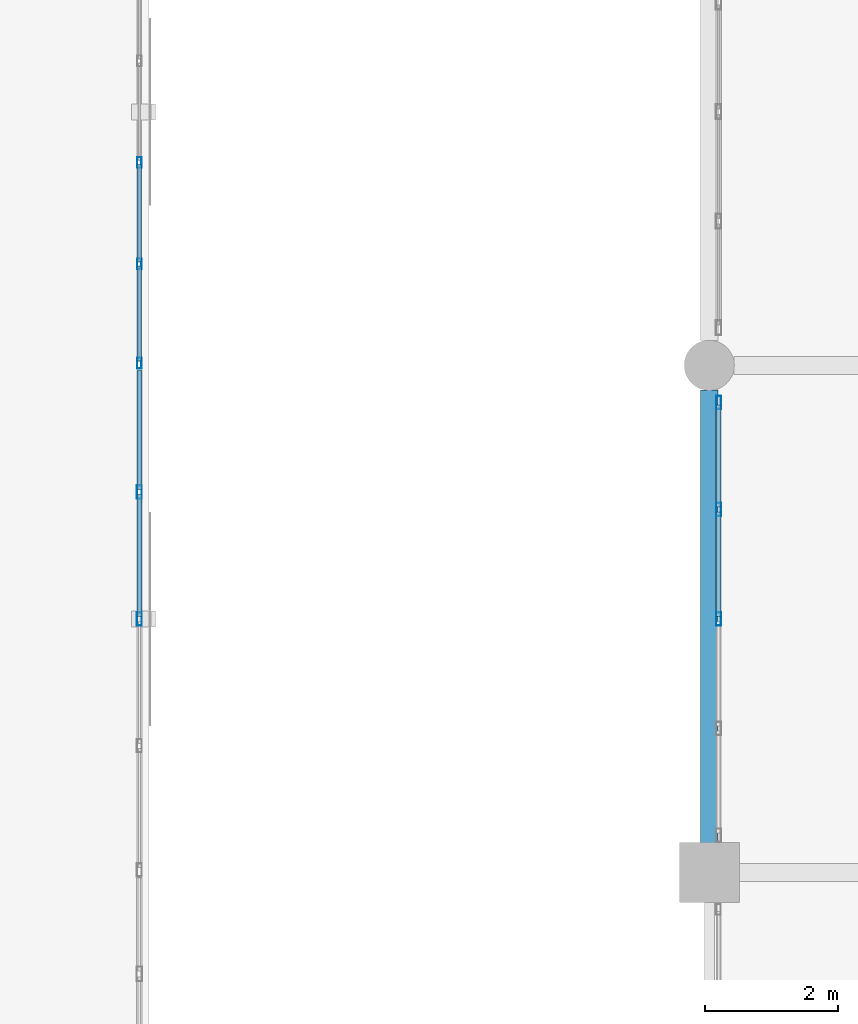
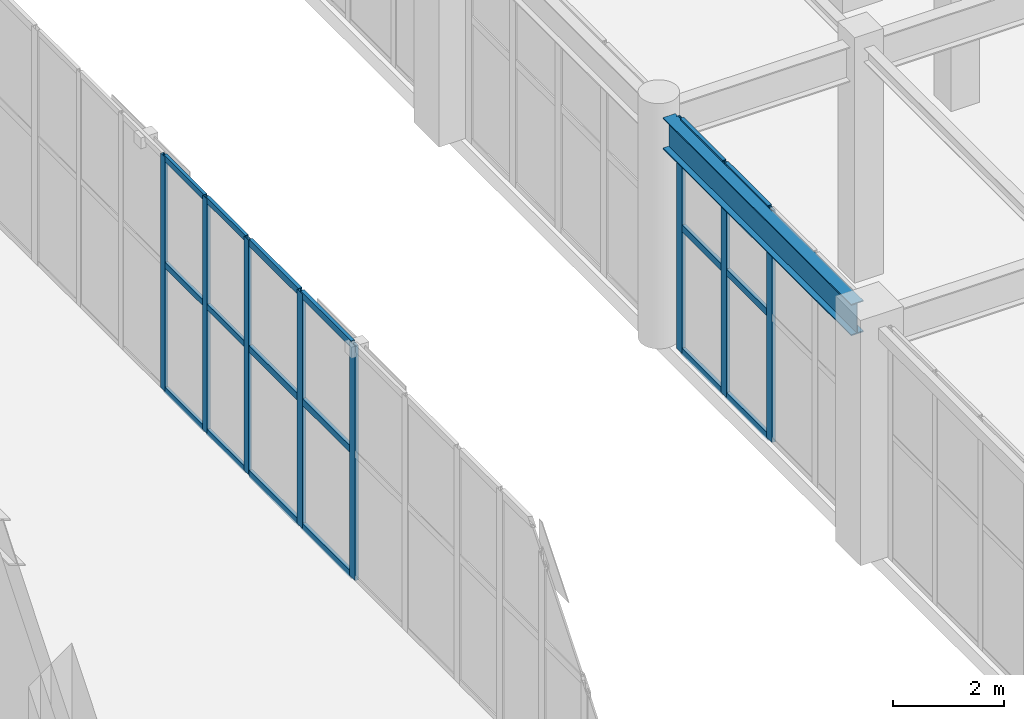
# One storey, part 29 of 139: 26 members, 1 beam, 3 elements without a shape of their own.
"""IFC4 building model written with IfcOpenShell, lengths in metres."""

from ifc_helpers import new_model, si_unit, direction, frame, origin, origin_2d, place, context, subcontext, project, spatial, hollow_rectangle, i_section, extrude, material, layer, layer_set, material_profile, profile_set, type_object, element, aggregate, save


model = new_model("IFC4")

# Units and contexts
model_context = context("Model", 3, precision=1e-05, world=origin(), true_north=direction((0.0, 1.0)))
body_context = subcontext(model_context, "Body", "Model", "MODEL_VIEW")
ifc_project = project(units=[si_unit("LENGTHUNIT", "METRE"), si_unit("AREAUNIT", "SQUARE_METRE"), si_unit("VOLUMEUNIT", "CUBIC_METRE"), si_unit("PLANEANGLEUNIT", "RADIAN"), si_unit("MASSUNIT", "GRAM", prefix="KILO")], contexts=[model_context])

# Site, building, storey
site_placement = place(None, origin())
site = spatial("IfcSite", under=ifc_project, at=site_placement, CompositionType="ELEMENT")
building_placement = place(site_placement, origin())
building = spatial("IfcBuilding", under=site, at=building_placement, Name="Xicomal Pleat Aquarium", CompositionType="ELEMENT")
storey_placement = place(building_placement, origin())
storey = spatial("IfcBuildingStorey", under=building, at=storey_placement, Name="L01", CompositionType="ELEMENT", Elevation=0.0)

# Beam
ifc_material_1 = material(Name="Structural steel A992 Gr 50", Category="steel")
ifc_material_profile_1 = material_profile(ifc_material_1, i_section(OverallWidth=0.256103515625, OverallDepth=0.693115234375, WebThickness=0.014404296875, FlangeThickness=0.023681640625, at=origin_2d()), Name="IR 690x170")
ifc_profile_set_1 = profile_set([ifc_material_profile_1], Name="Structural steel A992 Gr 50")
beam_type = type_object("IfcBeamType", Name="BM-STL-IR690", PredefinedType="BEAM", material=ifc_profile_set_1)
beam_placement = place(storey_placement, frame((43.800048828125, 53.64501953125, 4.75341796875), z_axis=(0.0, 1.0, 0.0), x_axis=(-1.0, 0.0, 0.0)))
element("IfcBeam", 1, at=beam_placement, inside=storey, type_object=beam_type, Name="L01 framing beam FGY-L01-06-H-J", PredefinedType="BEAM", context=body_context, shape_type="SweptSolid", body=[
    extrude(i_section(OverallWidth=0.256103515625, OverallDepth=0.693115234375, WebThickness=0.014404296875, FlangeThickness=0.023681640625, at=origin_2d()), origin(), (0.0, 0.0, 1.0), 6.784912109375),
])

# Curtain wall, members
ifc_material_2 = material(Name="Bronze anodized aluminium 6063-T6", Category="aluminium")
ifc_layer_1 = layer(ifc_material_2, 0.159912109375)
ifc_layer_set_1 = layer_set([ifc_layer_1], Name="Bronze anodized aluminium 6063-T6")
curtain_wall_type_1 = type_object("IfcCurtainWallType", Name="CW-SYS-01", PredefinedType="NOTDEFINED", material=ifc_layer_set_1)
curtain_wall_1_placement = place(storey_placement, origin())
curtain_wall_1 = element("IfcCurtainWall", 2, at=curtain_wall_1_placement, inside=storey, type_object=curtain_wall_type_1, Name="L01 unitised curtain wall CW-L01-024", PredefinedType="NOTDEFINED")
ifc_material_3 = material(Name="Bronze anodized aluminium 6063-T6", Category="aluminium")
ifc_material_profile_2 = material_profile(ifc_material_3, hollow_rectangle(XDim=0.06494140625, YDim=0.159912109375, WallThickness=0.00390625, at=origin_2d()), Name="ALU MULL 65x160")
ifc_profile_set_2 = profile_set([ifc_material_profile_2], Name="Bronze anodized aluminium 6063-T6")
member_type_1 = type_object("IfcMemberType", Name="CWM-65x160", PredefinedType="MULLION", material=ifc_profile_set_2)
member_1_placement = place(storey_placement, frame((35.260009765625, 63.840087890625, 0.0), z_axis=(0.0, 0.0, 1.0), x_axis=(1.0, 0.0, 0.0)))
member_1 = element("IfcMember", 3, at=member_1_placement, type_object=member_type_1, Name="CW-01 mullion 4", PredefinedType="MULLION", context=body_context, shape_type="SweptSolid", body=[
    extrude(hollow_rectangle(XDim=0.06494140625, YDim=0.159912109375, WallThickness=0.00390625, at=origin_2d()), origin(), (0.0, 0.0, 1.0), 5.159912109375),
])
member_2_placement = place(storey_placement, frame((35.260009765625, 62.320068359375, 0.0), z_axis=(0.0, 0.0, 1.0), x_axis=(1.0, 0.0, 0.0)))
member_2 = element("IfcMember", 4, at=member_2_placement, type_object=member_type_1, Name="CW-01 mullion 5", PredefinedType="MULLION", context=body_context, shape_type="SweptSolid", body=[
    extrude(hollow_rectangle(XDim=0.06494140625, YDim=0.159912109375, WallThickness=0.00390625, at=origin_2d()), origin(), (0.0, 0.0, 1.0), 5.159912109375),
])
member_3_placement = place(storey_placement, frame((35.260009765625, 60.83251953125, 0.0), z_axis=(0.0, 0.0, 1.0), x_axis=(1.0, 0.0, 0.0)))
member_3 = element("IfcMember", 5, at=member_3_placement, type_object=member_type_1, Name="CW-01 mullion 6", PredefinedType="MULLION", context=body_context, shape_type="SweptSolid", body=[
    extrude(hollow_rectangle(XDim=0.06494140625, YDim=0.159912109375, WallThickness=0.00390625, at=origin_2d()), origin(), (0.0, 0.0, 1.0), 5.159912109375),
])

ifc_material_4 = material(Name="Bronze anodized aluminium 6063-T6", Category="aluminium")
ifc_layer_2 = layer(ifc_material_4, 0.159912109375)
ifc_layer_set_2 = layer_set([ifc_layer_2], Name="Bronze anodized aluminium 6063-T6")
curtain_wall_type_2 = type_object("IfcCurtainWallType", Name="CW-SYS-06", PredefinedType="NOTDEFINED", material=ifc_layer_set_2)
curtain_wall_2_placement = place(storey_placement, origin())
curtain_wall_2 = element("IfcCurtainWall", 6, at=curtain_wall_2_placement, inside=storey, type_object=curtain_wall_type_2, Name="L01 unitised curtain wall CW-L01-025", PredefinedType="NOTDEFINED")
ifc_material_5 = material(Name="Bronze anodized aluminium 6063-T6", Category="aluminium")
ifc_material_profile_3 = material_profile(ifc_material_5, hollow_rectangle(XDim=0.074951171875, YDim=0.199951171875, WallThickness=0.00439453125, at=origin_2d()), Name="ALU MULL 75x200")
ifc_profile_set_3 = profile_set([ifc_material_profile_3], Name="Bronze anodized aluminium 6063-T6")
member_type_2 = type_object("IfcMemberType", Name="CWM-75x200", PredefinedType="MULLION", material=ifc_profile_set_3)
member_4_placement = place(storey_placement, frame((35.260009765625, 58.89990234375, 0.0), z_axis=(0.0, 0.0, 1.0), x_axis=(1.0, 0.0, 0.0)))
member_4 = element("IfcMember", 7, at=member_4_placement, type_object=member_type_2, Name="CW-06 mullion 2", PredefinedType="MULLION", context=body_context, shape_type="SweptSolid", body=[
    extrude(hollow_rectangle(XDim=0.074951171875, YDim=0.199951171875, WallThickness=0.00439453125, at=origin_2d()), origin(), (0.0, 0.0, 1.0), 5.159912109375),
])
member_5_placement = place(storey_placement, frame((35.260009765625, 57.0, 0.0), z_axis=(0.0, 0.0, 1.0), x_axis=(1.0, 0.0, 0.0)))
member_5 = element("IfcMember", 8, at=member_5_placement, type_object=member_type_2, Name="CW-06 mullion 3", PredefinedType="MULLION", context=body_context, shape_type="SweptSolid", body=[
    extrude(hollow_rectangle(XDim=0.074951171875, YDim=0.199951171875, WallThickness=0.00439453125, at=origin_2d()), origin(), (0.0, 0.0, 1.0), 5.159912109375),
])

curtain_wall_3_placement = place(storey_placement, origin())
curtain_wall_3 = element("IfcCurtainWall", 9, at=curtain_wall_3_placement, inside=storey, type_object=curtain_wall_type_2, Name="L01 unitised curtain wall CW-L01-031", PredefinedType="NOTDEFINED")
member_6_placement = place(storey_placement, frame((43.93994140625, 57.0, 0.0), z_axis=(0.0, 0.0, 1.0), x_axis=(-1.0, 0.0, 0.0)))
member_6 = element("IfcMember", 10, at=member_6_placement, type_object=member_type_2, Name="CW-06 mullion 3", PredefinedType="MULLION", context=body_context, shape_type="SweptSolid", body=[
    extrude(hollow_rectangle(XDim=0.074951171875, YDim=0.199951171875, WallThickness=0.00439453125, at=origin_2d()), origin(), (0.0, 0.0, 1.0), 5.10009765625),
])
member_7_placement = place(storey_placement, frame((43.93994140625, 58.639892578125, 0.0), z_axis=(0.0, 0.0, 1.0), x_axis=(-1.0, 0.0, 0.0)))
member_7 = element("IfcMember", 11, at=member_7_placement, type_object=member_type_2, Name="CW-06 mullion 4", PredefinedType="MULLION", context=body_context, shape_type="SweptSolid", body=[
    extrude(hollow_rectangle(XDim=0.074951171875, YDim=0.199951171875, WallThickness=0.00439453125, at=origin_2d()), origin(), (0.0, 0.0, 1.0), 5.10009765625),
])
member_8_placement = place(storey_placement, frame((43.93994140625, 60.242431640625, 0.0), z_axis=(0.0, 0.0, 1.0), x_axis=(-1.0, 0.0, 0.0)))
member_8 = element("IfcMember", 12, at=member_8_placement, type_object=member_type_2, Name="CW-06 mullion 5", PredefinedType="MULLION", context=body_context, shape_type="SweptSolid", body=[
    extrude(hollow_rectangle(XDim=0.074951171875, YDim=0.199951171875, WallThickness=0.00439453125, at=origin_2d()), origin(), (0.0, 0.0, 1.0), 5.10009765625),
])

# Member
ifc_material_6 = material(Name="Bronze anodized aluminium 6063-T6", Category="aluminium")
ifc_material_profile_4 = material_profile(ifc_material_6, hollow_rectangle(XDim=0.06494140625, YDim=0.1298828125, WallThickness=0.00390625, at=origin_2d()), Name="ALU TRAN 65x130")
ifc_profile_set_4 = profile_set([ifc_material_profile_4], Name="Bronze anodized aluminium 6063-T6")
member_type_3 = type_object("IfcMemberType", Name="CWT-65x130", PredefinedType="USERDEFINED", material=ifc_profile_set_4)
member_9_placement = place(storey_placement, frame((35.260009765625, 63.8076171875, 0.032470703125), z_axis=(0.0, -1.0, 0.0), x_axis=(1.0, 0.0, 0.0)))
member_9 = element("IfcMember", 13, at=member_9_placement, type_object=member_type_3, Name="CW-01 transom 4.1", ObjectType="TRANSOM", PredefinedType="USERDEFINED", context=body_context, shape_type="SweptSolid", body=[
    extrude(hollow_rectangle(XDim=0.06494140625, YDim=0.1298828125, WallThickness=0.00390625, at=origin_2d()), origin(), (0.0, 0.0, 1.0), 1.455078125),
])

member_10_placement = place(storey_placement, frame((35.260009765625, 63.8076171875, 2.785888671875), z_axis=(0.0, -1.0, 0.0), x_axis=(1.0, 0.0, 0.0)))
member_10 = element("IfcMember", 14, at=member_10_placement, type_object=member_type_3, Name="CW-01 transom 4.2", ObjectType="TRANSOM", PredefinedType="USERDEFINED", context=body_context, shape_type="SweptSolid", body=[
    extrude(hollow_rectangle(XDim=0.06494140625, YDim=0.1298828125, WallThickness=0.00390625, at=origin_2d()), origin(), (0.0, 0.0, 1.0), 1.455078125),
])

member_11_placement = place(storey_placement, frame((35.260009765625, 63.8076171875, 5.12744140625), z_axis=(0.0, -1.0, 0.0), x_axis=(1.0, 0.0, 0.0)))
member_11 = element("IfcMember", 15, at=member_11_placement, type_object=member_type_3, Name="CW-01 transom 4.3", ObjectType="TRANSOM", PredefinedType="USERDEFINED", context=body_context, shape_type="SweptSolid", body=[
    extrude(hollow_rectangle(XDim=0.06494140625, YDim=0.1298828125, WallThickness=0.00390625, at=origin_2d()), origin(), (0.0, 0.0, 1.0), 1.455078125),
])

member_12_placement = place(storey_placement, frame((35.260009765625, 62.28759765625, 0.032470703125), z_axis=(0.0, -1.0, 0.0), x_axis=(1.0, 0.0, 0.0)))
member_12 = element("IfcMember", 16, at=member_12_placement, type_object=member_type_3, Name="CW-01 transom 5.1", ObjectType="TRANSOM", PredefinedType="USERDEFINED", context=body_context, shape_type="SweptSolid", body=[
    extrude(hollow_rectangle(XDim=0.06494140625, YDim=0.1298828125, WallThickness=0.00390625, at=origin_2d()), origin(), (0.0, 0.0, 1.0), 1.422607421875),
])

member_13_placement = place(storey_placement, frame((35.260009765625, 62.28759765625, 2.785888671875), z_axis=(0.0, -1.0, 0.0), x_axis=(1.0, 0.0, 0.0)))
member_13 = element("IfcMember", 17, at=member_13_placement, type_object=member_type_3, Name="CW-01 transom 5.2", ObjectType="TRANSOM", PredefinedType="USERDEFINED", context=body_context, shape_type="SweptSolid", body=[
    extrude(hollow_rectangle(XDim=0.06494140625, YDim=0.1298828125, WallThickness=0.00390625, at=origin_2d()), origin(), (0.0, 0.0, 1.0), 1.422607421875),
])

member_14_placement = place(storey_placement, frame((35.260009765625, 62.28759765625, 5.12744140625), z_axis=(0.0, -1.0, 0.0), x_axis=(1.0, 0.0, 0.0)))
member_14 = element("IfcMember", 18, at=member_14_placement, type_object=member_type_3, Name="CW-01 transom 5.3", ObjectType="TRANSOM", PredefinedType="USERDEFINED", context=body_context, shape_type="SweptSolid", body=[
    extrude(hollow_rectangle(XDim=0.06494140625, YDim=0.1298828125, WallThickness=0.00390625, at=origin_2d()), origin(), (0.0, 0.0, 1.0), 1.422607421875),
])

aggregate(curtain_wall_1, [member_1, member_2, member_3, member_9, member_10, member_11, member_12, member_13, member_14])

ifc_material_7 = material(Name="Bronze anodized aluminium 6063-T6", Category="aluminium")
ifc_material_profile_5 = material_profile(ifc_material_7, hollow_rectangle(XDim=0.074951171875, YDim=0.14990234375, WallThickness=0.00439453125, at=origin_2d()), Name="ALU TRAN 75x150")
ifc_profile_set_5 = profile_set([ifc_material_profile_5], Name="Bronze anodized aluminium 6063-T6")
member_type_4 = type_object("IfcMemberType", Name="CWT-75x150", PredefinedType="USERDEFINED", material=ifc_profile_set_5)
member_15_placement = place(storey_placement, frame((35.260009765625, 60.72509765625, 0.03759765625), z_axis=(0.0, -1.0, 0.0), x_axis=(1.0, 0.0, 0.0)))
member_15 = element("IfcMember", 19, at=member_15_placement, type_object=member_type_4, Name="CW-06 transom 1.1", ObjectType="TRANSOM", PredefinedType="USERDEFINED", context=body_context, shape_type="SweptSolid", body=[
    extrude(hollow_rectangle(XDim=0.074951171875, YDim=0.14990234375, WallThickness=0.00439453125, at=origin_2d()), origin(), (0.0, 0.0, 1.0), 1.78759765625),
])

member_16_placement = place(storey_placement, frame((35.260009765625, 60.72509765625, 2.785888671875), z_axis=(0.0, -1.0, 0.0), x_axis=(1.0, 0.0, 0.0)))
member_16 = element("IfcMember", 20, at=member_16_placement, type_object=member_type_4, Name="CW-06 transom 1.2", ObjectType="TRANSOM", PredefinedType="USERDEFINED", context=body_context, shape_type="SweptSolid", body=[
    extrude(hollow_rectangle(XDim=0.074951171875, YDim=0.14990234375, WallThickness=0.00439453125, at=origin_2d()), origin(), (0.0, 0.0, 1.0), 1.78759765625),
])

member_17_placement = place(storey_placement, frame((35.260009765625, 60.72509765625, 5.12255859375), z_axis=(0.0, -1.0, 0.0), x_axis=(1.0, 0.0, 0.0)))
member_17 = element("IfcMember", 21, at=member_17_placement, type_object=member_type_4, Name="CW-06 transom 1.3", ObjectType="TRANSOM", PredefinedType="USERDEFINED", context=body_context, shape_type="SweptSolid", body=[
    extrude(hollow_rectangle(XDim=0.074951171875, YDim=0.14990234375, WallThickness=0.00439453125, at=origin_2d()), origin(), (0.0, 0.0, 1.0), 1.78759765625),
])

member_18_placement = place(storey_placement, frame((35.260009765625, 58.862548828125, 0.03759765625), z_axis=(0.0, -1.0, 0.0), x_axis=(1.0, 0.0, 0.0)))
member_18 = element("IfcMember", 22, at=member_18_placement, type_object=member_type_4, Name="CW-06 transom 2.1", ObjectType="TRANSOM", PredefinedType="USERDEFINED", context=body_context, shape_type="SweptSolid", body=[
    extrude(hollow_rectangle(XDim=0.074951171875, YDim=0.14990234375, WallThickness=0.00439453125, at=origin_2d()), origin(), (0.0, 0.0, 1.0), 1.824951171875),
])

member_19_placement = place(storey_placement, frame((35.260009765625, 58.862548828125, 2.785888671875), z_axis=(0.0, -1.0, 0.0), x_axis=(1.0, 0.0, 0.0)))
member_19 = element("IfcMember", 23, at=member_19_placement, type_object=member_type_4, Name="CW-06 transom 2.2", ObjectType="TRANSOM", PredefinedType="USERDEFINED", context=body_context, shape_type="SweptSolid", body=[
    extrude(hollow_rectangle(XDim=0.074951171875, YDim=0.14990234375, WallThickness=0.00439453125, at=origin_2d()), origin(), (0.0, 0.0, 1.0), 1.824951171875),
])

member_20_placement = place(storey_placement, frame((35.260009765625, 58.862548828125, 5.12255859375), z_axis=(0.0, -1.0, 0.0), x_axis=(1.0, 0.0, 0.0)))
member_20 = element("IfcMember", 24, at=member_20_placement, type_object=member_type_4, Name="CW-06 transom 2.3", ObjectType="TRANSOM", PredefinedType="USERDEFINED", context=body_context, shape_type="SweptSolid", body=[
    extrude(hollow_rectangle(XDim=0.074951171875, YDim=0.14990234375, WallThickness=0.00439453125, at=origin_2d()), origin(), (0.0, 0.0, 1.0), 1.824951171875),
])

aggregate(curtain_wall_2, [member_4, member_5, member_15, member_16, member_17, member_18, member_19, member_20])

member_21_placement = place(storey_placement, frame((43.93994140625, 57.03759765625, 0.03759765625), z_axis=(0.0, 1.0, 0.0), x_axis=(-1.0, 0.0, 0.0)))
member_21 = element("IfcMember", 25, at=member_21_placement, type_object=member_type_4, Name="CW-06 transom 3.1", ObjectType="TRANSOM", PredefinedType="USERDEFINED", context=body_context, shape_type="SweptSolid", body=[
    extrude(hollow_rectangle(XDim=0.074951171875, YDim=0.14990234375, WallThickness=0.00439453125, at=origin_2d()), origin(), (0.0, 0.0, 1.0), 1.56494140625),
])

member_22_placement = place(storey_placement, frame((43.93994140625, 57.03759765625, 2.75390625), z_axis=(0.0, 1.0, 0.0), x_axis=(-1.0, 0.0, 0.0)))
member_22 = element("IfcMember", 26, at=member_22_placement, type_object=member_type_4, Name="CW-06 transom 3.2", ObjectType="TRANSOM", PredefinedType="USERDEFINED", context=body_context, shape_type="SweptSolid", body=[
    extrude(hollow_rectangle(XDim=0.074951171875, YDim=0.14990234375, WallThickness=0.00439453125, at=origin_2d()), origin(), (0.0, 0.0, 1.0), 1.56494140625),
])

member_23_placement = place(storey_placement, frame((43.93994140625, 57.03759765625, 5.0625), z_axis=(0.0, 1.0, 0.0), x_axis=(-1.0, 0.0, 0.0)))
member_23 = element("IfcMember", 27, at=member_23_placement, type_object=member_type_4, Name="CW-06 transom 3.3", ObjectType="TRANSOM", PredefinedType="USERDEFINED", context=body_context, shape_type="SweptSolid", body=[
    extrude(hollow_rectangle(XDim=0.074951171875, YDim=0.14990234375, WallThickness=0.00439453125, at=origin_2d()), origin(), (0.0, 0.0, 1.0), 1.56494140625),
])

member_24_placement = place(storey_placement, frame((43.93994140625, 58.677490234375, 0.03759765625), z_axis=(0.0, 1.0, 0.0), x_axis=(-1.0, 0.0, 0.0)))
member_24 = element("IfcMember", 28, at=member_24_placement, type_object=member_type_4, Name="CW-06 transom 4.1", ObjectType="TRANSOM", PredefinedType="USERDEFINED", context=body_context, shape_type="SweptSolid", body=[
    extrude(hollow_rectangle(XDim=0.074951171875, YDim=0.14990234375, WallThickness=0.00439453125, at=origin_2d()), origin(), (0.0, 0.0, 1.0), 1.527587890625),
])

member_25_placement = place(storey_placement, frame((43.93994140625, 58.677490234375, 2.75390625), z_axis=(0.0, 1.0, 0.0), x_axis=(-1.0, 0.0, 0.0)))
member_25 = element("IfcMember", 29, at=member_25_placement, type_object=member_type_4, Name="CW-06 transom 4.2", ObjectType="TRANSOM", PredefinedType="USERDEFINED", context=body_context, shape_type="SweptSolid", body=[
    extrude(hollow_rectangle(XDim=0.074951171875, YDim=0.14990234375, WallThickness=0.00439453125, at=origin_2d()), origin(), (0.0, 0.0, 1.0), 1.527587890625),
])

member_26_placement = place(storey_placement, frame((43.93994140625, 58.677490234375, 5.0625), z_axis=(0.0, 1.0, 0.0), x_axis=(-1.0, 0.0, 0.0)))
member_26 = element("IfcMember", 30, at=member_26_placement, type_object=member_type_4, Name="CW-06 transom 4.3", ObjectType="TRANSOM", PredefinedType="USERDEFINED", context=body_context, shape_type="SweptSolid", body=[
    extrude(hollow_rectangle(XDim=0.074951171875, YDim=0.14990234375, WallThickness=0.00439453125, at=origin_2d()), origin(), (0.0, 0.0, 1.0), 1.527587890625),
])

aggregate(curtain_wall_3, [member_6, member_7, member_8, member_21, member_22, member_23, member_24, member_25, member_26])

save(model, "model.ifc")
